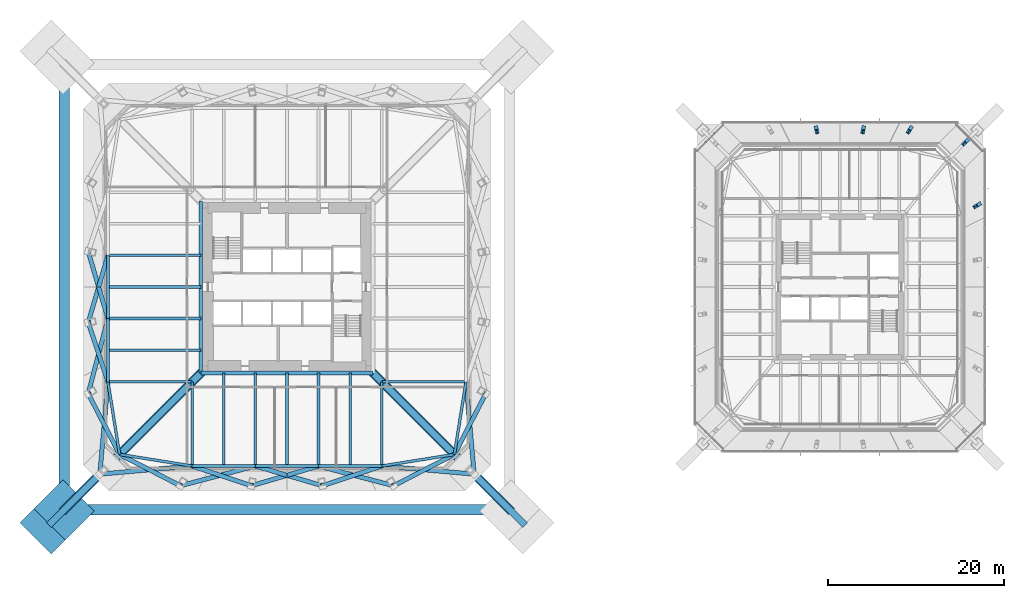
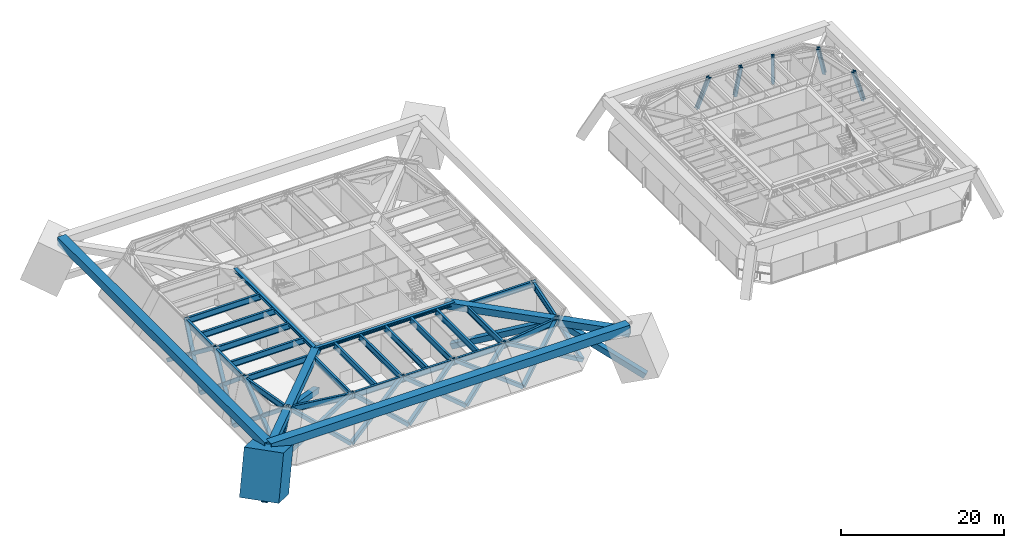
# One storey, part 2 of 16: 29 members, 24 beams, 5 columns.
"""IFC4 building model written with IfcOpenShell, lengths in metres."""

from ifc_helpers import new_model, si_unit, direction, frame, origin, origin_2d, place, context, subcontext, project, spatial, rectangle, hollow_rectangle, i_section, extrude, clip, halfspace, material, material_profile, profile_set, type_object, element, save


model = new_model("IFC4")

# Units and contexts
model_context = context("Model", 3, precision=1e-05, world=origin(), true_north=direction((0.0, 1.0)))
body_context = subcontext(model_context, "Body", "Model", "MODEL_VIEW")
ifc_project = project(units=[si_unit("LENGTHUNIT", "METRE"), si_unit("AREAUNIT", "SQUARE_METRE"), si_unit("VOLUMEUNIT", "CUBIC_METRE"), si_unit("PLANEANGLEUNIT", "RADIAN"), si_unit("MASSUNIT", "GRAM", prefix="KILO")], contexts=[model_context])

# Site, building, storey
site_placement = place(None, origin())
site = spatial("IfcSite", under=ifc_project, at=site_placement, CompositionType="ELEMENT")
building_placement = place(site_placement, origin())
building = spatial("IfcBuilding", under=site, at=building_placement, Name="Iwan Alto Co-Living Towers", CompositionType="ELEMENT")
storey_placement = place(building_placement, frame((0.0, 0.0, 74.5)))
storey = spatial("IfcBuildingStorey", under=building, at=storey_placement, Name="L20", CompositionType="ELEMENT", Elevation=74.5)

# Columns
ifc_material_1 = material(Name="Steel ASTM A992 Gr 50", Category="steel")
ifc_material_profile_1 = material_profile(ifc_material_1, i_section(OverallWidth=0.424072265625, OverallDepth=0.47509765625, WebThickness=0.0478515625, FlangeThickness=0.0771484375, at=origin_2d()), Name="W14X426")
ifc_profile_set_1 = profile_set([ifc_material_profile_1], Name="Steel ASTM A992 Gr 50")
column_type = type_object("IfcColumnType", Name="T2 RAKING RING COLUMN W14X426", PredefinedType="COLUMN", material=ifc_profile_set_1)
column_1_placement = place(storey_placement, frame((78.89990234375, 9.449951171875, 0.0), z_axis=(-0.343583115532, -0.206127500627, 0.91622164142), x_axis=(0.514454704863, -0.857517554715, 0.0)))
element("IfcColumn", 1, at=column_1_placement, inside=storey, type_object=column_type, Name="T2 raking ring column E4 L20", PredefinedType="COLUMN", context=body_context, shape_type="Clipping", body=[
    clip(clip(extrude(i_section(OverallWidth=0.424072265625, OverallDepth=0.47509765625, WebThickness=0.0478515625, FlangeThickness=0.0771484375, at=origin_2d()), origin(), (0.0, 0.0, 1.0), 6.548583984375), halfspace(frame((0.0, 0.0, 0.0), z_axis=(0.0, -0.400671815572, -0.91622164142), x_axis=(0.514454704863, 0.785676141527, -0.343583115532)), False)), halfspace(frame((0.0, 2.404052734375, 5.497314453125), z_axis=(0.0, 0.400671815572, 0.91622164142), x_axis=(0.514454704863, 0.785676141527, -0.343583115532)), False)),
])
column_2_placement = place(storey_placement, frame((77.606201171875, 16.797119140625, 0.0), z_axis=(-0.330551321937, -0.331953334069, 0.883483337458), x_axis=(0.708601594959, -0.705608800698, 0.0)))
element("IfcColumn", 2, at=column_2_placement, inside=storey, type_object=column_type, Name="T2 raking ring column CNE L20", PredefinedType="COLUMN", context=body_context, shape_type="Clipping", body=[
    clip(clip(extrude(i_section(OverallWidth=0.424072265625, OverallDepth=0.47509765625, WebThickness=0.0478515625, FlangeThickness=0.0771484375, at=origin_2d()), origin(), (0.0, 0.0, 1.0), 6.791259765625), halfspace(frame((0.0, 0.0, 0.0), z_axis=(0.0, -0.468462583814, -0.883483337458), x_axis=(0.708601594959, 0.62339361818, -0.330551321937)), False)), halfspace(frame((0.0, 2.810791015625, 5.30078125), z_axis=(0.0, 0.468462583814, 0.883483337458), x_axis=(0.708601594959, 0.62339361818, -0.330551321937)), False)),
])
column_3_placement = place(storey_placement, frame((71.10009765625, 18.14990234375, 0.0), z_axis=(-0.206163197348, -0.343580475001, 0.916214600002), x_axis=(0.857476506072, -0.514523120505, 0.0)))
element("IfcColumn", 3, at=column_3_placement, inside=storey, type_object=column_type, Name="T2 raking ring column N1 L20", PredefinedType="COLUMN", context=body_context, shape_type="Clipping", body=[
    clip(clip(extrude(i_section(OverallWidth=0.424072265625, OverallDepth=0.47509765625, WebThickness=0.0478515625, FlangeThickness=0.0771484375, at=origin_2d()), origin(), (0.0, 0.0, 1.0), 6.548583984375), halfspace(frame((0.0, 0.0, 0.0), z_axis=(0.0, -0.400687916891, -0.916214600002), x_axis=(0.857476506072, 0.471413595046, -0.206163197348)), False)), halfspace(frame((0.0, 2.404052734375, 5.497314453125), z_axis=(0.0, 0.400687916891, 0.916214600002), x_axis=(0.857476506072, 0.471413595046, -0.206163197348)), False)),
])
column_4_placement = place(storey_placement, frame((65.699951171875, 18.14990234375, 0.0), z_axis=(-0.070044605522, -0.350261033367, 0.934029422311), x_axis=(0.980584767795, -0.196095673508, 0.0)))
element("IfcColumn", 4, at=column_4_placement, inside=storey, type_object=column_type, Name="T2 raking ring column N2 L20", PredefinedType="COLUMN", context=body_context, shape_type="Clipping", body=[
    clip(clip(extrude(i_section(OverallWidth=0.424072265625, OverallDepth=0.47509765625, WebThickness=0.0478515625, FlangeThickness=0.0771484375, at=origin_2d()), origin(), (0.0, 0.0, 1.0), 6.423828125), halfspace(frame((0.0, 0.0, 0.0), z_axis=(0.0, -0.357196078167, -0.934029422311), x_axis=(0.980584767795, 0.183159128644, -0.070044605522)), False)), halfspace(frame((0.0, 2.14306640625, 5.604248046875), z_axis=(0.0, 0.357196078167, 0.934029422311), x_axis=(0.980584767795, 0.183159128644, -0.070044605522)), False)),
])
column_5_placement = place(storey_placement, frame((60.300048828125, 18.14990234375, 0.0), z_axis=(0.070044605522, -0.350261033367, 0.934029422311), x_axis=(0.980584767795, 0.196095673508, 0.0)))
element("IfcColumn", 5, at=column_5_placement, inside=storey, type_object=column_type, Name="T2 raking ring column N3 L20", PredefinedType="COLUMN", context=body_context, shape_type="Clipping", body=[
    clip(clip(extrude(i_section(OverallWidth=0.424072265625, OverallDepth=0.47509765625, WebThickness=0.0478515625, FlangeThickness=0.0771484375, at=origin_2d()), origin(), (0.0, 0.0, 1.0), 6.423828125), halfspace(frame((0.0, 0.0, 0.0), z_axis=(0.0, -0.357196078167, -0.934029422311), x_axis=(0.980584767795, -0.183159128644, 0.070044605522)), False)), halfspace(frame((0.0, 2.14306640625, 5.604248046875), z_axis=(0.0, 0.357196078167, 0.934029422311), x_axis=(0.980584767795, -0.183159128644, 0.070044605522)), False)),
])

# Beams
ifc_material_2 = material(Name="Steel ASTM A992 Gr 50", Category="steel")
ifc_material_profile_2 = material_profile(ifc_material_2, i_section(OverallWidth=0.307373046875, OverallDepth=0.927001953125, WebThickness=0.01953125, FlangeThickness=0.031982421875, at=origin_2d()), Name="W36X194")
ifc_profile_set_2 = profile_set([ifc_material_profile_2], Name="Steel ASTM A992 Gr 50")
beam_type_1 = type_object("IfcBeamType", Name="T1 BELT TRUSS CHORD W36X194", PredefinedType="BEAM", material=ifc_profile_set_2)
beam_1_placement = place(storey_placement, frame((-19.07568359375, -19.07568359375, 5.306396484375), z_axis=(0.987438450439, -0.158004134737, 0.0), x_axis=(0.158004134737, 0.987438450439, 0.0)))
element("IfcBeam", 6, at=beam_1_placement, inside=storey, type_object=beam_type_1, Name="T1 edge beam CSW L21", PredefinedType="BEAM", context=body_context, shape_type="SweptSolid", body=[
    extrude(i_section(OverallWidth=0.307373046875, OverallDepth=0.927001953125, WebThickness=0.01953125, FlangeThickness=0.031982421875, at=origin_2d()), origin(), (0.0, 0.0, 1.0), 8.380859375),
])
beam_2_placement = place(storey_placement, frame((-10.800048828125, -20.39990234375, 5.306396484375), z_axis=(1.0, 0.0, 0.0), x_axis=(0.0, 1.0, 0.0)))
element("IfcBeam", 7, at=beam_2_placement, inside=storey, type_object=beam_type_1, Name="T1 edge beam S1 L21", PredefinedType="BEAM", context=body_context, shape_type="SweptSolid", body=[
    extrude(i_section(OverallWidth=0.307373046875, OverallDepth=0.927001953125, WebThickness=0.01953125, FlangeThickness=0.031982421875, at=origin_2d()), origin(), (0.0, 0.0, 1.0), 7.199951171875),
])
beam_3_placement = place(storey_placement, frame((-3.60009765625, -20.39990234375, 5.306396484375), z_axis=(1.0, 0.0, 0.0), x_axis=(0.0, 1.0, 0.0)))
element("IfcBeam", 8, at=beam_3_placement, inside=storey, type_object=beam_type_1, Name="T1 edge beam S2 L21", PredefinedType="BEAM", context=body_context, shape_type="SweptSolid", body=[
    extrude(i_section(OverallWidth=0.307373046875, OverallDepth=0.927001953125, WebThickness=0.01953125, FlangeThickness=0.031982421875, at=origin_2d()), origin(), (0.0, 0.0, 1.0), 7.2001953125),
])
beam_4_placement = place(storey_placement, frame((3.60009765625, -20.39990234375, 5.306396484375), z_axis=(1.0, 0.0, 0.0), x_axis=(0.0, 1.0, 0.0)))
element("IfcBeam", 9, at=beam_4_placement, inside=storey, type_object=beam_type_1, Name="T1 edge beam S3 L21", PredefinedType="BEAM", context=body_context, shape_type="SweptSolid", body=[
    extrude(i_section(OverallWidth=0.307373046875, OverallDepth=0.927001953125, WebThickness=0.01953125, FlangeThickness=0.031982421875, at=origin_2d()), origin(), (0.0, 0.0, 1.0), 7.199951171875),
])
for number, where, z_axis, x_axis, name in (
    (10, (10.800048828125, -20.39990234375, 5.306396484375), (0.987438450439, 0.158004134737, 0.0), (-0.158004134737, 0.987438450439, 0.0), "T1 edge beam S4 L21"),
    (11, (19.07568359375, -19.07568359375, 5.306396484375), (0.158004134737, 0.987438450439, 0.0), (-0.987438450439, 0.158004134737, 0.0), "T1 edge beam CSE L21"),
):
    element("IfcBeam", number, at=place(storey_placement, frame(where, z_axis=z_axis, x_axis=x_axis)), inside=storey, type_object=beam_type_1, Name=name, PredefinedType="BEAM", context=body_context, shape_type="SweptSolid", body=[
        extrude(i_section(OverallWidth=0.307373046875, OverallDepth=0.927001953125, WebThickness=0.01953125, FlangeThickness=0.031982421875, at=origin_2d()), origin(), (0.0, 0.0, 1.0), 8.380859375),
    ])
beam_5_placement = place(storey_placement, frame((-20.39990234375, 3.60009765625, 5.306396484375), z_axis=(0.0, -1.0, 0.0), x_axis=(1.0, 0.0, 0.0)))
element("IfcBeam", 12, at=beam_5_placement, inside=storey, type_object=beam_type_1, Name="T1 edge beam W2 L21", PredefinedType="BEAM", context=body_context, shape_type="SweptSolid", body=[
    extrude(i_section(OverallWidth=0.307373046875, OverallDepth=0.927001953125, WebThickness=0.01953125, FlangeThickness=0.031982421875, at=origin_2d()), origin(), (0.0, 0.0, 1.0), 7.2001953125),
])
beam_6_placement = place(storey_placement, frame((-20.39990234375, -3.60009765625, 5.306396484375), z_axis=(0.0, -1.0, 0.0), x_axis=(1.0, 0.0, 0.0)))
element("IfcBeam", 13, at=beam_6_placement, inside=storey, type_object=beam_type_1, Name="T1 edge beam W3 L21", PredefinedType="BEAM", context=body_context, shape_type="SweptSolid", body=[
    extrude(i_section(OverallWidth=0.307373046875, OverallDepth=0.927001953125, WebThickness=0.01953125, FlangeThickness=0.031982421875, at=origin_2d()), origin(), (0.0, 0.0, 1.0), 7.199951171875),
])
beam_7_placement = place(storey_placement, frame((-20.39990234375, -10.800048828125, 5.306396484375), z_axis=(0.158004134737, -0.987438450439, 0.0), x_axis=(0.987438450439, 0.158004134737, 0.0)))
element("IfcBeam", 14, at=beam_7_placement, inside=storey, type_object=beam_type_1, Name="T1 edge beam W4 L21", PredefinedType="BEAM", context=body_context, shape_type="SweptSolid", body=[
    extrude(i_section(OverallWidth=0.307373046875, OverallDepth=0.927001953125, WebThickness=0.01953125, FlangeThickness=0.031982421875, at=origin_2d()), origin(), (0.0, 0.0, 1.0), 8.380859375),
])

# Members
ifc_material_3 = material(Name="Steel ASTM A572 Gr 50", Category="steel")
ifc_material_profile_3 = material_profile(ifc_material_3, hollow_rectangle(XDim=0.5, YDim=0.5, WallThickness=0.031982421875, at=origin_2d()), Name="BOX 500X500X32")
ifc_profile_set_3 = profile_set([ifc_material_profile_3], Name="Steel ASTM A572 Gr 50")
member_type_1 = type_object("IfcMemberType", Name="T1 BELT TRUSS DIAGONAL BOX 500X500X32", PredefinedType="BRACE", material=ifc_profile_set_3)
member_1_placement = place(storey_placement, frame((-21.32568359375, -21.32568359375, 0.0), z_axis=(0.876723836493, 0.077112165425, 0.474772607116), x_axis=(-0.087616657989, 0.996154265786, 0.0)))
element("IfcMember", 15, at=member_1_placement, inside=storey, type_object=member_type_1, Name="T1 belt truss diagonal CSW L20 1", PredefinedType="BRACE", context=body_context, shape_type="SweptSolid", body=[
    extrude(hollow_rectangle(XDim=0.5, YDim=0.5, WallThickness=0.031982421875, at=origin_2d()), origin(), (0.0, 0.0, 1.0), 12.005615234375),
])
member_2_placement = place(storey_placement, frame((-12.14990234375, -22.64990234375, 0.0), z_axis=(-0.717280070987, 0.370169918191, 0.590324937159), x_axis=(-0.458604618381, -0.888640424469, 0.0)))
element("IfcMember", 16, at=member_2_placement, inside=storey, type_object=member_type_1, Name="T1 belt truss diagonal CSW L20 2", PredefinedType="BRACE", context=body_context, shape_type="SweptSolid", body=[
    extrude(hollow_rectangle(XDim=0.5, YDim=0.5, WallThickness=0.031982421875, at=origin_2d()), origin(), (0.0, 0.0, 1.0), 9.655517578125),
])
member_3_placement = place(storey_placement, frame((-12.14990234375, -22.64990234375, 0.0), z_axis=(0.812789938701, 0.213896975302, 0.54186769557), x_axis=(-0.254498736402, 0.967073106425, 0.0)))
element("IfcMember", 17, at=member_3_placement, inside=storey, type_object=member_type_1, Name="T1 belt truss diagonal S1 L20 1", PredefinedType="BRACE", context=body_context, shape_type="SweptSolid", body=[
    extrude(hollow_rectangle(XDim=0.5, YDim=0.5, WallThickness=0.031982421875, at=origin_2d()), origin(), (0.0, 0.0, 1.0), 10.51904296875),
])
member_4_placement = place(storey_placement, frame((-4.050048828125, -22.64990234375, 0.0), z_axis=(-0.740398486837, 0.246799495612, 0.625220032993), x_axis=(-0.316227766017, -0.948683298051, 0.0)))
element("IfcMember", 18, at=member_4_placement, inside=storey, type_object=member_type_1, Name="T1 belt truss diagonal S1 L20 2", PredefinedType="BRACE", context=body_context, shape_type="SweptSolid", body=[
    extrude(hollow_rectangle(XDim=0.5, YDim=0.5, WallThickness=0.031982421875, at=origin_2d()), origin(), (0.0, 0.0, 1.0), 9.11669921875),
])
for number, where, z_axis, x_axis, name in (
    (19, (-4.050048828125, -22.64990234375, 0.0), (0.780478146102, 0.229548000462, 0.58151661966), (-0.28216135125, 0.959366964128, 0.0), "T1 belt truss diagonal S2 L20 1"),
    (20, (4.050048828125, -22.64990234375, 0.0), (-0.780478146102, 0.229548000462, 0.58151661966), (-0.28216135125, -0.959366964128, 0.0), "T1 belt truss diagonal S2 L20 2"),
):
    element("IfcMember", number, at=place(storey_placement, frame(where, z_axis=z_axis, x_axis=x_axis)), inside=storey, type_object=member_type_1, Name=name, PredefinedType="BRACE", context=body_context, shape_type="SweptSolid", body=[
        extrude(hollow_rectangle(XDim=0.5, YDim=0.5, WallThickness=0.031982421875, at=origin_2d()), origin(), (0.0, 0.0, 1.0), 9.8017578125),
    ])
member_5_placement = place(storey_placement, frame((4.050048828125, -22.64990234375, 0.0), z_axis=(0.740398486837, 0.246799495612, 0.625220032993), x_axis=(-0.316227766017, 0.948683298051, 0.0)))
element("IfcMember", 21, at=member_5_placement, inside=storey, type_object=member_type_1, Name="T1 belt truss diagonal S3 L20 1", PredefinedType="BRACE", context=body_context, shape_type="SweptSolid", body=[
    extrude(hollow_rectangle(XDim=0.5, YDim=0.5, WallThickness=0.031982421875, at=origin_2d()), origin(), (0.0, 0.0, 1.0), 9.11669921875),
])
member_6_placement = place(storey_placement, frame((12.14990234375, -22.64990234375, 0.0), z_axis=(-0.812789938701, 0.213896975302, 0.54186769557), x_axis=(-0.254498736402, -0.967073106425, 0.0)))
element("IfcMember", 22, at=member_6_placement, inside=storey, type_object=member_type_1, Name="T1 belt truss diagonal S3 L20 2", PredefinedType="BRACE", context=body_context, shape_type="SweptSolid", body=[
    extrude(hollow_rectangle(XDim=0.5, YDim=0.5, WallThickness=0.031982421875, at=origin_2d()), origin(), (0.0, 0.0, 1.0), 10.51904296875),
])
member_7_placement = place(storey_placement, frame((12.14990234375, -22.64990234375, 0.0), z_axis=(0.717280070987, 0.370169918191, 0.590324937159), x_axis=(-0.458604618381, 0.888640424469, 0.0)))
element("IfcMember", 23, at=member_7_placement, inside=storey, type_object=member_type_1, Name="T1 belt truss diagonal S4 L20 1", PredefinedType="BRACE", context=body_context, shape_type="SweptSolid", body=[
    extrude(hollow_rectangle(XDim=0.5, YDim=0.5, WallThickness=0.031982421875, at=origin_2d()), origin(), (0.0, 0.0, 1.0), 9.655517578125),
])
for number, where, z_axis, x_axis, name in (
    (24, (21.32568359375, -21.32568359375, 0.0), (-0.876723836493, 0.077112165425, 0.474772607116), (-0.087616657989, -0.996154265786, 0.0), "T1 belt truss diagonal S4 L20 2"),
    (25, (21.32568359375, -21.32568359375, 0.0), (-0.077112165425, 0.876723836493, 0.474772607116), (-0.996154265786, -0.087616657989, 0.0), "T1 belt truss diagonal CSE L20 1"),
):
    element("IfcMember", number, at=place(storey_placement, frame(where, z_axis=z_axis, x_axis=x_axis)), inside=storey, type_object=member_type_1, Name=name, PredefinedType="BRACE", context=body_context, shape_type="SweptSolid", body=[
        extrude(hollow_rectangle(XDim=0.5, YDim=0.5, WallThickness=0.031982421875, at=origin_2d()), origin(), (0.0, 0.0, 1.0), 12.005615234375),
    ])
member_8_placement = place(storey_placement, frame((22.64990234375, -12.14990234375, 0.0), z_axis=(-0.370169918191, -0.717280070987, 0.590324937159), x_axis=(0.888640424469, -0.458604618381, 0.0)))
element("IfcMember", 26, at=member_8_placement, inside=storey, type_object=member_type_1, Name="T1 belt truss diagonal CSE L20 2", PredefinedType="BRACE", context=body_context, shape_type="SweptSolid", body=[
    extrude(hollow_rectangle(XDim=0.5, YDim=0.5, WallThickness=0.031982421875, at=origin_2d()), origin(), (0.0, 0.0, 1.0), 9.655517578125),
])
for number, where, z_axis, x_axis, name in (
    (27, (-22.64990234375, 4.050048828125, 0.0), (0.229548000462, -0.780478146102, 0.58151661966), (0.959366964128, 0.28216135125, 0.0), "T1 belt truss diagonal W2 L20 1"),
    (28, (-22.64990234375, -4.050048828125, 0.0), (0.229548000462, 0.780478146102, 0.58151661966), (-0.959366964128, 0.28216135125, 0.0), "T1 belt truss diagonal W2 L20 2"),
):
    element("IfcMember", number, at=place(storey_placement, frame(where, z_axis=z_axis, x_axis=x_axis)), inside=storey, type_object=member_type_1, Name=name, PredefinedType="BRACE", context=body_context, shape_type="SweptSolid", body=[
        extrude(hollow_rectangle(XDim=0.5, YDim=0.5, WallThickness=0.031982421875, at=origin_2d()), origin(), (0.0, 0.0, 1.0), 9.8017578125),
    ])
member_9_placement = place(storey_placement, frame((-22.64990234375, -4.050048828125, 0.0), z_axis=(0.246799495612, -0.740398486837, 0.625220032993), x_axis=(0.948683298051, 0.316227766017, 0.0)))
element("IfcMember", 29, at=member_9_placement, inside=storey, type_object=member_type_1, Name="T1 belt truss diagonal W3 L20 1", PredefinedType="BRACE", context=body_context, shape_type="SweptSolid", body=[
    extrude(hollow_rectangle(XDim=0.5, YDim=0.5, WallThickness=0.031982421875, at=origin_2d()), origin(), (0.0, 0.0, 1.0), 9.11669921875),
])
member_10_placement = place(storey_placement, frame((-22.64990234375, -12.14990234375, 0.0), z_axis=(0.213896975302, 0.812789938701, 0.54186769557), x_axis=(-0.967073106425, 0.254498736402, 0.0)))
element("IfcMember", 30, at=member_10_placement, inside=storey, type_object=member_type_1, Name="T1 belt truss diagonal W3 L20 2", PredefinedType="BRACE", context=body_context, shape_type="SweptSolid", body=[
    extrude(hollow_rectangle(XDim=0.5, YDim=0.5, WallThickness=0.031982421875, at=origin_2d()), origin(), (0.0, 0.0, 1.0), 10.51904296875),
])
member_11_placement = place(storey_placement, frame((-22.64990234375, -12.14990234375, 0.0), z_axis=(0.370169918191, -0.717280070987, 0.590324937159), x_axis=(0.888640424469, 0.458604618381, 0.0)))
element("IfcMember", 31, at=member_11_placement, inside=storey, type_object=member_type_1, Name="T1 belt truss diagonal W4 L20 1", PredefinedType="BRACE", context=body_context, shape_type="SweptSolid", body=[
    extrude(hollow_rectangle(XDim=0.5, YDim=0.5, WallThickness=0.031982421875, at=origin_2d()), origin(), (0.0, 0.0, 1.0), 9.655517578125),
])
member_12_placement = place(storey_placement, frame((-21.32568359375, -21.32568359375, 0.0), z_axis=(0.077112165425, 0.876723836493, 0.474772607116), x_axis=(-0.996154265786, 0.087616657989, 0.0)))
element("IfcMember", 32, at=member_12_placement, inside=storey, type_object=member_type_1, Name="T1 belt truss diagonal W4 L20 2", PredefinedType="BRACE", context=body_context, shape_type="SweptSolid", body=[
    extrude(hollow_rectangle(XDim=0.5, YDim=0.5, WallThickness=0.031982421875, at=origin_2d()), origin(), (0.0, 0.0, 1.0), 12.005615234375),
])

# Beams
ifc_material_4 = material(Name="Steel ASTM A992 Gr 50", Category="steel")
ifc_material_profile_4 = material_profile(ifc_material_4, i_section(OverallWidth=0.436767578125, OverallDepth=0.51318359375, WebThickness=0.060546875, FlangeThickness=0.096923828125, at=origin_2d()), Name="W14X550")
ifc_profile_set_4 = profile_set([ifc_material_profile_4], Name="Steel ASTM A992 Gr 50")
beam_type_2 = type_object("IfcBeamType", Name="T1 CORE LEDGER BEAM W14X550", PredefinedType="BEAM", material=ifc_profile_set_4)
for number, where, z_axis, x_axis, name in (
    (33, (-9.818359375, -9.818359375, 5.513427734375), (1.0, 0.0, 0.0), (0.0, 1.0, 0.0), "T1 core ledger beam S L21"),
    (34, (-9.818359375, 9.818359375, 5.513427734375), (0.0, -1.0, 0.0), (1.0, 0.0, 0.0), "T1 core ledger beam W L21"),
):
    element("IfcBeam", number, at=place(storey_placement, frame(where, z_axis=z_axis, x_axis=x_axis)), inside=storey, type_object=beam_type_2, Name=name, PredefinedType="BEAM", context=body_context, shape_type="SweptSolid", body=[
        extrude(i_section(OverallWidth=0.436767578125, OverallDepth=0.51318359375, WebThickness=0.060546875, FlangeThickness=0.096923828125, at=origin_2d()), origin(), (0.0, 0.0, 1.0), 19.63671875),
    ])

# Members
ifc_material_5 = material(Name="Steel ASTM A572 Gr 50", Category="steel")
ifc_material_profile_5 = material_profile(ifc_material_5, hollow_rectangle(XDim=1.199951171875, YDim=1.199951171875, WallThickness=0.070068359375, at=origin_2d()), Name="BOX 1200X1200X70")
ifc_profile_set_5 = profile_set([ifc_material_profile_5], Name="Steel ASTM A572 Gr 50")
member_type_2 = type_object("IfcMemberType", Name="T1 MEGA BELT TIE BOX 1200X1200X70", PredefinedType="STRUT", material=ifc_profile_set_5)
for number, where, z_axis, x_axis, name in (
    (35, (-25.39990234375, -25.39990234375, 6.0), (1.0, 0.0, 0.0), (0.0, 1.0, 0.0), "T1 mega belt tie S L21"),
    (36, (-25.39990234375, 25.39990234375, 6.0), (0.0, -1.0, 0.0), (1.0, 0.0, 0.0), "T1 mega belt tie W L21"),
):
    element("IfcMember", number, at=place(storey_placement, frame(where, z_axis=z_axis, x_axis=x_axis)), inside=storey, type_object=member_type_2, Name=name, PredefinedType="STRUT", context=body_context, shape_type="SweptSolid", body=[
        extrude(hollow_rectangle(XDim=1.199951171875, YDim=1.199951171875, WallThickness=0.070068359375, at=origin_2d()), origin(), (0.0, 0.0, 1.0), 50.7998046875),
    ])
ifc_material_6 = material(Name="Steel ASTM A572 Gr 50", Category="steel")
ifc_material_profile_6 = material_profile(ifc_material_6, hollow_rectangle(XDim=1.0, YDim=1.0, WallThickness=0.070068359375, at=origin_2d()), Name="BOX 1000X1000X70")
ifc_profile_set_6 = profile_set([ifc_material_profile_6], Name="Steel ASTM A572 Gr 50")
member_type_3 = type_object("IfcMemberType", Name="T1 OUTRIGGER CHORD BOX 1000X1000X70", PredefinedType="CHORD", material=ifc_profile_set_6)
member_13_placement = place(storey_placement, frame((-9.0, -9.0, 5.27001953125), z_axis=(-0.707106781187, -0.707106781187, 0.0), x_axis=(0.707106781187, -0.707106781187, 0.0)))
element("IfcMember", 37, at=member_13_placement, inside=storey, type_object=member_type_3, Name="T1 outrigger SW L20 top chord 1", PredefinedType="CHORD", context=body_context, shape_type="SweptSolid", body=[
    extrude(hollow_rectangle(XDim=1.0, YDim=1.0, WallThickness=0.070068359375, at=origin_2d()), origin(), (0.0, 0.0, 1.0), 14.249267578125),
])
member_14_placement = place(storey_placement, frame((-19.07568359375, -19.07568359375, 5.27001953125), z_axis=(-0.707106781187, -0.707106781187, 0.0), x_axis=(0.707106781187, -0.707106781187, 0.0)))
element("IfcMember", 38, at=member_14_placement, inside=storey, type_object=member_type_3, Name="T1 outrigger SW L20 top chord 2", PredefinedType="CHORD", context=body_context, shape_type="SweptSolid", body=[
    extrude(hollow_rectangle(XDim=1.0, YDim=1.0, WallThickness=0.070068359375, at=origin_2d()), origin(), (0.0, 0.0, 1.0), 9.21923828125),
])
member_15_placement = place(storey_placement, frame((9.0, -9.0, 5.27001953125), z_axis=(0.707106781187, -0.707106781187, 0.0), x_axis=(0.707106781187, 0.707106781187, 0.0)))
element("IfcMember", 39, at=member_15_placement, inside=storey, type_object=member_type_3, Name="T1 outrigger SE L20 top chord 1", PredefinedType="CHORD", context=body_context, shape_type="SweptSolid", body=[
    extrude(hollow_rectangle(XDim=1.0, YDim=1.0, WallThickness=0.070068359375, at=origin_2d()), origin(), (0.0, 0.0, 1.0), 14.249267578125),
])
member_16_placement = place(storey_placement, frame((19.07568359375, -19.07568359375, 5.27001953125), z_axis=(0.707106781187, -0.707106781187, 0.0), x_axis=(0.707106781187, 0.707106781187, 0.0)))
element("IfcMember", 40, at=member_16_placement, inside=storey, type_object=member_type_3, Name="T1 outrigger SE L20 top chord 2", PredefinedType="CHORD", context=body_context, shape_type="SweptSolid", body=[
    extrude(hollow_rectangle(XDim=1.0, YDim=1.0, WallThickness=0.070068359375, at=origin_2d()), origin(), (0.0, 0.0, 1.0), 9.21923828125),
])
ifc_material_7 = material(Name="Steel ASTM A572 Gr 42", Category="steel")
ifc_material_profile_7 = material_profile(ifc_material_7, hollow_rectangle(XDim=0.800048828125, YDim=0.800048828125, WallThickness=0.139892578125, at=origin_2d()), Name="BOX 800X800X140")
ifc_profile_set_7 = profile_set([ifc_material_profile_7], Name="Steel ASTM A572 Gr 42")
member_type_4 = type_object("IfcMemberType", Name="T1 OUTRIGGER DIAGONAL BOX 800X800X140", PredefinedType="BRACE", material=ifc_profile_set_7)
member_17_placement = place(storey_placement, frame((-9.60009765625, -9.60009765625, -0.800048828125), z_axis=(-0.644107258842, -0.644107258842, 0.412615654349), x_axis=(0.707106781187, -0.707106781187, 0.0)))
element("IfcMember", 41, at=member_17_placement, inside=storey, type_object=member_type_4, Name="T1 outrigger SW L20 diagonal 1", PredefinedType="BRACE", context=body_context, shape_type="SweptSolid", body=[
    extrude(hollow_rectangle(XDim=0.800048828125, YDim=0.800048828125, WallThickness=0.139892578125, at=origin_2d()), origin(), (0.0, 0.0, 1.0), 14.711181640625),
])
member_18_placement = place(storey_placement, frame((-19.07568359375, -19.07568359375, 5.27001953125), z_axis=(-0.621758292076, -0.621758292076, -0.476270146524), x_axis=(0.707106781187, -0.707106781187, 0.0)))
element("IfcMember", 42, at=member_18_placement, inside=storey, type_object=member_type_4, Name="T1 outrigger SW L20 diagonal 2", PredefinedType="BRACE", context=body_context, shape_type="SweptSolid", body=[
    extrude(hollow_rectangle(XDim=0.800048828125, YDim=0.800048828125, WallThickness=0.139892578125, at=origin_2d()), origin(), (0.0, 0.0, 1.0), 12.7451171875),
])
member_19_placement = place(storey_placement, frame((9.60009765625, -9.60009765625, -0.800048828125), z_axis=(0.644107258842, -0.644107258842, 0.412615654349), x_axis=(0.707106781187, 0.707106781187, 0.0)))
element("IfcMember", 43, at=member_19_placement, inside=storey, type_object=member_type_4, Name="T1 outrigger SE L20 diagonal 1", PredefinedType="BRACE", context=body_context, shape_type="SweptSolid", body=[
    extrude(hollow_rectangle(XDim=0.800048828125, YDim=0.800048828125, WallThickness=0.139892578125, at=origin_2d()), origin(), (0.0, 0.0, 1.0), 14.711181640625),
])
member_20_placement = place(storey_placement, frame((19.07568359375, -19.07568359375, 5.27001953125), z_axis=(0.621758292076, -0.621758292076, -0.476270146524), x_axis=(0.707106781187, 0.707106781187, 0.0)))
element("IfcMember", 44, at=member_20_placement, inside=storey, type_object=member_type_4, Name="T1 outrigger SE L20 diagonal 2", PredefinedType="BRACE", context=body_context, shape_type="SweptSolid", body=[
    extrude(hollow_rectangle(XDim=0.800048828125, YDim=0.800048828125, WallThickness=0.139892578125, at=origin_2d()), origin(), (0.0, 0.0, 1.0), 12.7451171875),
])

# Beams
ifc_material_8 = material(Name="Steel ASTM A992 Gr 50", Category="steel")
ifc_material_profile_8 = material_profile(ifc_material_8, i_section(OverallWidth=0.307373046875, OverallDepth=0.927001953125, WebThickness=0.01953125, FlangeThickness=0.031982421875, at=origin_2d()), Name="W36X194")
ifc_profile_set_8 = profile_set([ifc_material_profile_8], Name="Steel ASTM A992 Gr 50")
beam_type_3 = type_object("IfcBeamType", Name="T1 RADIAL BEAM W36X194", PredefinedType="BEAM", material=ifc_profile_set_8)
beam_8_placement = place(storey_placement, frame((-10.800048828125, -20.39990234375, 5.306396484375), z_axis=(0.0, 1.0, 0.0), x_axis=(-1.0, 0.0, 0.0)))
element("IfcBeam", 45, at=beam_8_placement, inside=storey, type_object=beam_type_3, Name="T1 radial beam S1 L21", PredefinedType="BEAM", context=body_context, shape_type="SweptSolid", body=[
    extrude(i_section(OverallWidth=0.307373046875, OverallDepth=0.927001953125, WebThickness=0.01953125, FlangeThickness=0.031982421875, at=origin_2d()), origin(), (0.0, 0.0, 1.0), 9.599853515625),
])
for number, where, z_axis, x_axis, name in (
    (46, (-3.60009765625, -20.39990234375, 5.306396484375), (0.0, 1.0, 0.0), (-1.0, 0.0, 0.0), "T1 radial beam S2 L21"),
    (47, (3.60009765625, -20.39990234375, 5.306396484375), (0.0, 1.0, 0.0), (-1.0, 0.0, 0.0), "T1 radial beam S3 L21"),
):
    element("IfcBeam", number, at=place(storey_placement, frame(where, z_axis=z_axis, x_axis=x_axis)), inside=storey, type_object=beam_type_3, Name=name, PredefinedType="BEAM", context=body_context, shape_type="SweptSolid", body=[
        extrude(i_section(OverallWidth=0.307373046875, OverallDepth=0.927001953125, WebThickness=0.01953125, FlangeThickness=0.031982421875, at=origin_2d()), origin(), (0.0, 0.0, 1.0), 10.58154296875),
    ])
for number, where, z_axis, x_axis, name in (
    (48, (10.800048828125, -20.39990234375, 5.306396484375), (0.0, 1.0, 0.0), (-1.0, 0.0, 0.0), "T1 radial beam S4 L21"),
    (49, (20.39990234375, -10.800048828125, 5.306396484375), (-1.0, 0.0, 0.0), (0.0, -1.0, 0.0), "T1 radial beam E1 L21"),
):
    element("IfcBeam", number, at=place(storey_placement, frame(where, z_axis=z_axis, x_axis=x_axis)), inside=storey, type_object=beam_type_3, Name=name, PredefinedType="BEAM", context=body_context, shape_type="SweptSolid", body=[
        extrude(i_section(OverallWidth=0.307373046875, OverallDepth=0.927001953125, WebThickness=0.01953125, FlangeThickness=0.031982421875, at=origin_2d()), origin(), (0.0, 0.0, 1.0), 9.599853515625),
    ])
for number, where, z_axis, x_axis, name in (
    (50, (-20.39990234375, 3.60009765625, 5.306396484375), (1.0, 0.0, 0.0), (0.0, 1.0, 0.0), "T1 radial beam W2 L21"),
    (51, (-20.39990234375, -3.60009765625, 5.306396484375), (1.0, 0.0, 0.0), (0.0, 1.0, 0.0), "T1 radial beam W3 L21"),
):
    element("IfcBeam", number, at=place(storey_placement, frame(where, z_axis=z_axis, x_axis=x_axis)), inside=storey, type_object=beam_type_3, Name=name, PredefinedType="BEAM", context=body_context, shape_type="SweptSolid", body=[
        extrude(i_section(OverallWidth=0.307373046875, OverallDepth=0.927001953125, WebThickness=0.01953125, FlangeThickness=0.031982421875, at=origin_2d()), origin(), (0.0, 0.0, 1.0), 10.58154296875),
    ])
beam_9_placement = place(storey_placement, frame((-20.39990234375, -10.800048828125, 5.306396484375), z_axis=(1.0, 0.0, 0.0), x_axis=(0.0, 1.0, 0.0)))
element("IfcBeam", 52, at=beam_9_placement, inside=storey, type_object=beam_type_3, Name="T1 radial beam W4 L21", PredefinedType="BEAM", context=body_context, shape_type="SweptSolid", body=[
    extrude(i_section(OverallWidth=0.307373046875, OverallDepth=0.927001953125, WebThickness=0.01953125, FlangeThickness=0.031982421875, at=origin_2d()), origin(), (0.0, 0.0, 1.0), 9.599853515625),
])

# Member
ifc_material_9 = material(Name="Concrete f'c 70 MPa", Category="concrete")
ifc_material_profile_9 = material_profile(ifc_material_9, rectangle(XDim=5.0, YDim=5.0, at=origin_2d()), Name="RC 5000X5000")
ifc_profile_set_9 = profile_set([ifc_material_profile_9], Name="Concrete f'c 70 MPa")
member_type_5 = type_object("IfcMemberType", Name="T1 RAKING MEGA COLUMN RC 5000X5000", PredefinedType="MEMBER", material=ifc_profile_set_9)
member_21_placement = place(storey_placement, frame((-27.0, -27.0, 0.0), z_axis=(0.249526477315, 0.249526477315, 0.93566718134), x_axis=(-0.707106781187, 0.707106781187, 0.0)))
element("IfcMember", 53, at=member_21_placement, inside=storey, type_object=member_type_5, Name="T1 raking mega column SW L20", PredefinedType="MEMBER", context=body_context, shape_type="SweptSolid", body=[
    extrude(rectangle(XDim=5.0, YDim=5.0, at=origin_2d()), origin(), (0.0, 0.0, 1.0), 6.41259765625),
    extrude(i_section(OverallWidth=0.4775390625, OverallDepth=0.599365234375, WebThickness=0.10009765625, FlangeThickness=0.139892578125, at=origin_2d()), origin(), (0.0, 0.0, 1.0), 6.41259765625),
])

# Beams
ifc_material_10 = material(Name="Steel ASTM A992 Gr 50", Category="steel")
ifc_material_profile_10 = material_profile(ifc_material_10, i_section(OverallWidth=0.307373046875, OverallDepth=0.927001953125, WebThickness=0.01953125, FlangeThickness=0.031982421875, at=origin_2d()), Name="W36X194")
ifc_profile_set_10 = profile_set([ifc_material_profile_10], Name="Steel ASTM A992 Gr 50")
beam_type_4 = type_object("IfcBeamType", Name="T1 SECONDARY BEAM W36X194", PredefinedType="JOIST", material=ifc_profile_set_10)
for number, where, z_axis, x_axis, name in (
    (54, (-7.199951171875, -20.39990234375, 5.306396484375), (0.0, 1.0, 0.0), (-1.0, 0.0, 0.0), "T1 secondary beam S1 L21"),
    (55, (0.0, -20.39990234375, 5.306396484375), (0.0, 1.0, 0.0), (-1.0, 0.0, 0.0), "T1 secondary beam S2 L21"),
    (56, (7.199951171875, -20.39990234375, 5.306396484375), (0.0, 1.0, 0.0), (-1.0, 0.0, 0.0), "T1 secondary beam S3 L21"),
    (57, (-20.39990234375, 0.0, 5.306396484375), (1.0, 0.0, 0.0), (0.0, 1.0, 0.0), "T1 secondary beam W2 L21"),
    (58, (-20.39990234375, -7.199951171875, 5.306396484375), (1.0, 0.0, 0.0), (0.0, 1.0, 0.0), "T1 secondary beam W3 L21"),
):
    element("IfcBeam", number, at=place(storey_placement, frame(where, z_axis=z_axis, x_axis=x_axis)), inside=storey, type_object=beam_type_4, Name=name, PredefinedType="JOIST", context=body_context, shape_type="SweptSolid", body=[
        extrude(i_section(OverallWidth=0.307373046875, OverallDepth=0.927001953125, WebThickness=0.01953125, FlangeThickness=0.031982421875, at=origin_2d()), origin(), (0.0, 0.0, 1.0), 10.58154296875),
    ])

save(model, "model.ifc")
